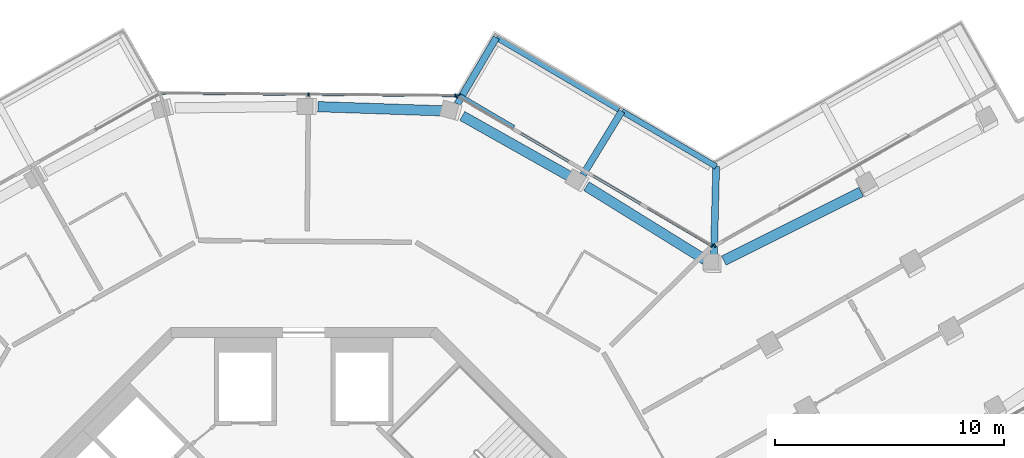
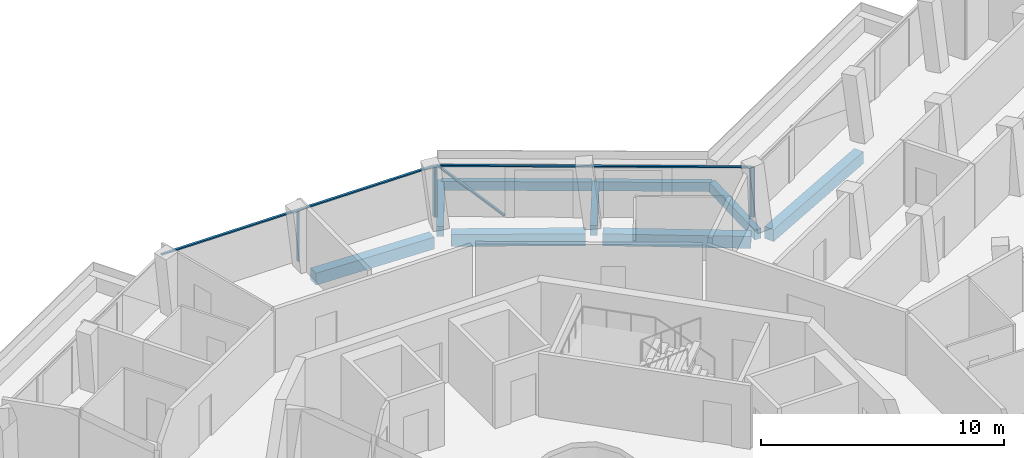
# One storey, part 9 of 24: 9 beams, 8 members, 3 elements without a shape of their own.
"""IFC4 building model written with IfcOpenShell, lengths in metres."""

from ifc_helpers import new_model, si_unit, direction, frame, origin, origin_2d, place, context, subcontext, project, spatial, rectangle, extrude, material, layer, layer_set, material_profile, profile_set, type_object, element, aggregate, save


model = new_model("IFC4")

# Units and contexts
model_context = context("Model", 3, precision=1e-05, world=origin(), true_north=direction((0.0, 1.0)))
body_context = subcontext(model_context, "Body", "Model", "MODEL_VIEW")
ifc_project = project(units=[si_unit("LENGTHUNIT", "METRE"), si_unit("AREAUNIT", "SQUARE_METRE"), si_unit("VOLUMEUNIT", "CUBIC_METRE"), si_unit("PLANEANGLEUNIT", "RADIAN"), si_unit("MASSUNIT", "GRAM", prefix="KILO")], contexts=[model_context])

# Site, building, storey
site_placement = place(None, origin())
site = spatial("IfcSite", under=ifc_project, at=site_placement, CompositionType="ELEMENT")
building_placement = place(site_placement, origin())
building = spatial("IfcBuilding", under=site, at=building_placement, Name="Verdalira Terraces Hotel", CompositionType="ELEMENT")
storey_placement = place(building_placement, frame((0.0, 0.0, 277.5)))
storey = spatial("IfcBuildingStorey", under=building, at=storey_placement, Name="L68", CompositionType="ELEMENT", Elevation=277.5)

# Beams
ifc_material_1 = material(Name="Concrete C40", Category="concrete")
ifc_material_profile_1 = material_profile(ifc_material_1, rectangle(XDim=0.300049, YDim=0.5, at=origin_2d()), Name="RC 300X500")
ifc_profile_set_1 = profile_set([ifc_material_profile_1], Name="Concrete C40")
beam_type_1 = type_object("IfcBeamType", Name="Balcony cantilever beam RC 300X500 C40", PredefinedType="BEAM", material=ifc_profile_set_1)
beam_1_placement = place(storey_placement, frame((17.932861, 17.077637, -0.560059), z_axis=(0.025094111, 0.999685093, 0.0), x_axis=(-0.999685093, 0.025094111, 0.0)))
element("IfcBeam", 1, at=beam_1_placement, inside=storey, type_object=beam_type_1, Name="Balcony cantilever beam R38-1", PredefinedType="BEAM", context=body_context, shape_type="SweptSolid", body=[
    extrude(rectangle(XDim=0.300049, YDim=0.5, at=origin_2d()), origin(), (0.0, 0.0, 1.0), 3.949951),
])
beam_2_placement = place(storey_placement, frame((12.213135, 20.669434, -0.560059), z_axis=(0.521568477, 0.853209426, 0.0), x_axis=(-0.853209426, 0.521568477, 0.0)))
element("IfcBeam", 2, at=beam_2_placement, inside=storey, type_object=beam_type_1, Name="Balcony cantilever beam R38-2", PredefinedType="BEAM", context=body_context, shape_type="SweptSolid", body=[
    extrude(rectangle(XDim=0.300049, YDim=0.5, at=origin_2d()), origin(), (0.0, 0.0, 1.0), 3.250977),
])
beam_3_placement = place(storey_placement, frame((6.716309, 23.765625, -0.560059), z_axis=(0.50722272, 0.86181501, 0.0), x_axis=(-0.86181501, 0.50722272, 0.0)))
element("IfcBeam", 3, at=beam_3_placement, inside=storey, type_object=beam_type_1, Name="Balcony cantilever beam R38-3", PredefinedType="BEAM", context=body_context, shape_type="SweptSolid", body=[
    extrude(rectangle(XDim=0.300049, YDim=0.5, at=origin_2d()), origin(), (0.0, 0.0, 1.0), 3.370361),
])
ifc_material_2 = material(Name="Concrete C40", Category="concrete")
ifc_material_profile_2 = material_profile(ifc_material_2, rectangle(XDim=0.25, YDim=0.449951, at=origin_2d()), Name="RC 250X450")
ifc_profile_set_2 = profile_set([ifc_material_profile_2], Name="Concrete C40")
beam_type_2 = type_object("IfcBeamType", Name="Balcony edge beam RC 250X450 C40", PredefinedType="BEAM", material=ifc_profile_set_2)
beam_4_placement = place(storey_placement, frame((18.031982, 21.026367, -0.534912), z_axis=(-0.862730245, 0.505664438, 0.0), x_axis=(-0.505664438, -0.862730245, 0.0)))
element("IfcBeam", 4, at=beam_4_placement, inside=storey, type_object=beam_type_2, Name="Balcony edge beam R38-1", PredefinedType="BEAM", context=body_context, shape_type="SweptSolid", body=[
    extrude(rectangle(XDim=0.25, YDim=0.449951, at=origin_2d()), origin(), (0.0, 0.0, 1.0), 4.779297),
])
beam_5_placement = place(storey_placement, frame((13.779297, 23.519043, -0.534912), z_axis=(-0.861793749, 0.507258843, 0.0), x_axis=(-0.507258843, -0.861793749, 0.0)))
element("IfcBeam", 5, at=beam_5_placement, inside=storey, type_object=beam_type_2, Name="Balcony edge beam R38-2", PredefinedType="BEAM", context=body_context, shape_type="SweptSolid", body=[
    extrude(rectangle(XDim=0.25, YDim=0.449951, at=origin_2d()), origin(), (0.0, 0.0, 1.0), 6.212158),
])

# Curtain wall, members
ifc_material_3 = material(Name="Clear glass", Category="glass")
ifc_layer_1 = layer(ifc_material_3, 0.14990234375)
ifc_layer_set_1 = layer_set([ifc_layer_1], Name="CW1 curtain wall")
curtain_wall_type_1 = type_object("IfcCurtainWallType", Name="CW1 curtain wall", PredefinedType="NOTDEFINED", material=ifc_layer_set_1)
curtain_wall_1_placement = place(storey_placement, origin())
curtain_wall_1 = element("IfcCurtainWall", 6, at=curtain_wall_1_placement, inside=storey, type_object=curtain_wall_type_1, Name="CW1 curtain wall L68 edge 39", PredefinedType="NOTDEFINED")
ifc_material_4 = material(Name="Terracotta frame", Category="masonry")
ifc_material_profile_3 = material_profile(ifc_material_4, rectangle(XDim=0.060059, YDim=0.149902, at=origin_2d()), Name="MU 60x150")
ifc_profile_set_3 = profile_set([ifc_material_profile_3], Name="Terracotta frame")
member_type_1 = type_object("IfcMemberType", Name="CW1 mullion 60x150", PredefinedType="MULLION", material=ifc_profile_set_3)
member_1_placement = place(storey_placement, frame((17.842529, 17.55957, 0.0), z_axis=(0.0, 0.0, 1.0), x_axis=(-0.861806272, 0.507237567, 0.0)))
member_1 = element("IfcMember", 7, at=member_1_placement, type_object=member_type_1, Name="CW1 mullion", PredefinedType="MULLION", context=body_context, shape_type="SweptSolid", body=[
    extrude(rectangle(XDim=0.060059, YDim=0.149902, at=origin_2d()), origin(), (0.0, 0.0, 1.0), 2.524902),
])
member_2_placement = place(storey_placement, frame((6.725342, 24.102783, 0.0), z_axis=(0.0, 0.0, 1.0), x_axis=(-0.861806272, 0.507237567, 0.0)))
member_2 = element("IfcMember", 8, at=member_2_placement, type_object=member_type_1, Name="CW1 mullion", PredefinedType="MULLION", context=body_context, shape_type="SweptSolid", body=[
    extrude(rectangle(XDim=0.060059, YDim=0.149902, at=origin_2d()), origin(), (0.0, 0.0, 1.0), 2.524902),
])

curtain_wall_2_placement = place(storey_placement, origin())
curtain_wall_2 = element("IfcCurtainWall", 9, at=curtain_wall_2_placement, inside=storey, type_object=curtain_wall_type_1, Name="CW1 curtain wall L68 edge 40", PredefinedType="NOTDEFINED")
member_3_placement = place(storey_placement, frame((6.63208, 24.128662, 0.0), z_axis=(0.0, 0.0, 1.0), x_axis=(-0.999964908, 0.008377482, 0.0)))
member_3 = element("IfcMember", 10, at=member_3_placement, type_object=member_type_1, Name="CW1 mullion", PredefinedType="MULLION", context=body_context, shape_type="SweptSolid", body=[
    extrude(rectangle(XDim=0.060059, YDim=0.149902, at=origin_2d()), origin(), (0.0, 0.0, 1.0), 2.524902),
])
member_4_placement = place(storey_placement, frame((0.202637, 24.182373, 0.0), z_axis=(0.0, 0.0, 1.0), x_axis=(-0.999964908, 0.008377482, 0.0)))
member_4 = element("IfcMember", 11, at=member_4_placement, type_object=member_type_1, Name="CW1 mullion", PredefinedType="MULLION", context=body_context, shape_type="SweptSolid", body=[
    extrude(rectangle(XDim=0.060059, YDim=0.149902, at=origin_2d()), origin(), (0.0, 0.0, 1.0), 2.524902),
])

# Member
ifc_material_5 = material(Name="Terracotta frame", Category="masonry")
ifc_material_profile_4 = material_profile(ifc_material_5, rectangle(XDim=0.110107, YDim=0.064941, at=origin_2d()), Name="TR 65x110")
ifc_profile_set_4 = profile_set([ifc_material_profile_4], Name="Terracotta frame")
member_type_2 = type_object("IfcMemberType", Name="CW1 transom 65x110", PredefinedType="USERDEFINED", material=ifc_profile_set_4)
member_5_placement = place(storey_placement, frame((17.868408, 17.544189, 2.557617), z_axis=(-0.861802462, 0.50724404, 0.0), x_axis=(-0.50724404, -0.861802462, 0.0)))
member_5 = element("IfcMember", 12, at=member_5_placement, type_object=member_type_2, Name="CW1 transom", ObjectType="TRANSOM", PredefinedType="USERDEFINED", context=body_context, shape_type="SweptSolid", body=[
    extrude(rectangle(XDim=0.110107, YDim=0.064941, at=origin_2d()), origin(), (0.0, 0.0, 1.0), 12.959717),
])

member_6_placement = place(storey_placement, frame((6.662109, 24.128418, 2.557617), z_axis=(-0.99996496, 0.008371307, 0.0), x_axis=(-0.008371307, -0.99996496, 0.0)))
member_6 = element("IfcMember", 13, at=member_6_placement, type_object=member_type_2, Name="CW1 transom", ObjectType="TRANSOM", PredefinedType="USERDEFINED", context=body_context, shape_type="SweptSolid", body=[
    extrude(rectangle(XDim=0.110107, YDim=0.064941, at=origin_2d()), origin(), (0.0, 0.0, 1.0), 12.919678),
])

aggregate(curtain_wall_2, [member_3, member_4, member_6])

# Curtain wall, member
ifc_material_6 = material(Name="Clear glass", Category="glass")
ifc_layer_2 = layer(ifc_material_6, 0.14990234375)
ifc_layer_set_2 = layer_set([ifc_layer_2], Name="CW2 curtain wall")
curtain_wall_type_2 = type_object("IfcCurtainWallType", Name="CW2 curtain wall", PredefinedType="NOTDEFINED", material=ifc_layer_set_2)
curtain_wall_3_placement = place(storey_placement, origin())
curtain_wall_3 = element("IfcCurtainWall", 14, at=curtain_wall_3_placement, inside=storey, type_object=curtain_wall_type_2, Name="CW2 curtain wall L68 edge 38", PredefinedType="NOTDEFINED")
ifc_material_7 = material(Name="Terracotta frame", Category="masonry")
ifc_material_profile_5 = material_profile(ifc_material_7, rectangle(XDim=0.070068, YDim=0.149902, at=origin_2d()), Name="MU 70x150")
ifc_profile_set_5 = profile_set([ifc_material_profile_5], Name="Terracotta frame")
member_type_3 = type_object("IfcMemberType", Name="CW2 mullion 70x150", PredefinedType="MULLION", material=ifc_profile_set_5)
member_7_placement = place(storey_placement, frame((17.973877, 17.561035, 0.0), z_axis=(0.0, 0.0, 1.0), x_axis=(-0.870183755, -0.492727342, 0.0)))
member_7 = element("IfcMember", 15, at=member_7_placement, type_object=member_type_3, Name="CW2 mullion", PredefinedType="MULLION", context=body_context, shape_type="SweptSolid", body=[
    extrude(rectangle(XDim=0.070068, YDim=0.149902, at=origin_2d()), origin(), (0.0, 0.0, 1.0), 2.524902),
])
aggregate(curtain_wall_3, [member_7])

# Member
ifc_material_8 = material(Name="Terracotta frame", Category="masonry")
ifc_material_profile_6 = material_profile(ifc_material_8, rectangle(XDim=0.149902, YDim=0.060059, at=origin_2d()), Name="GB 60x150")
ifc_profile_set_6 = profile_set([ifc_material_profile_6], Name="Terracotta frame")
member_type_4 = type_object("IfcMemberType", Name="Diagonal glazing bar 60x150", PredefinedType="USERDEFINED", material=ifc_profile_set_6)
member_8_placement = place(storey_placement, frame((9.177246, 22.762939, 0.023682), z_axis=(-0.63884139, 0.376030243, 0.671180255), x_axis=(-0.507261829, -0.861791992, 0.0)))
member_8 = element("IfcMember", 16, at=member_8_placement, type_object=member_type_4, Name="Diagonal glazing bar", ObjectType="GLAZING BAR", PredefinedType="USERDEFINED", context=body_context, shape_type="SweptSolid", body=[
    extrude(rectangle(XDim=0.149902, YDim=0.060059, at=origin_2d()), origin(), (0.0, 0.0, 1.0), 3.69165),
])

aggregate(curtain_wall_1, [member_1, member_2, member_5, member_8])

# Beams
ifc_material_9 = material(Name="Concrete C40", Category="concrete")
ifc_material_profile_7 = material_profile(ifc_material_9, rectangle(XDim=0.449951, YDim=0.600098, at=origin_2d()), Name="RC 450X600")
ifc_profile_set_7 = profile_set([ifc_material_profile_7], Name="Concrete C40")
beam_type_3 = type_object("IfcBeamType", Name="Spandrel beam RC 450X600 C40", PredefinedType="SPANDREL", material=ifc_profile_set_7)
beam_6_placement = place(storey_placement, frame((24.369141, 19.92041, -0.610107), z_axis=(-0.893990104, -0.448086704, 0.0), x_axis=(0.448086704, -0.893990104, 0.0)))
element("IfcBeam", 17, at=beam_6_placement, inside=storey, type_object=beam_type_3, Name="Spandrel beam B23", PredefinedType="SPANDREL", context=body_context, shape_type="SweptSolid", body=[
    extrude(rectangle(XDim=0.449951, YDim=0.600098, at=origin_2d()), origin(), (0.0, 0.0, 1.0), 6.709229),
])
beam_7_placement = place(storey_placement, frame((17.540771, 16.954102, -0.610107), z_axis=(-0.849839925, 0.527040892, 0.0), x_axis=(-0.527040892, -0.849839925, 0.0)))
element("IfcBeam", 18, at=beam_7_placement, inside=storey, type_object=beam_type_3, Name="Spandrel beam B24", PredefinedType="SPANDREL", context=body_context, shape_type="SweptSolid", body=[
    extrude(rectangle(XDim=0.449951, YDim=0.600098, at=origin_2d()), origin(), (0.0, 0.0, 1.0), 6.097412),
])
beam_8_placement = place(storey_placement, frame((11.743896, 20.531006, -0.610107), z_axis=(-0.87141962, 0.490538323, 0.0), x_axis=(-0.490538323, -0.87141962, 0.0)))
element("IfcBeam", 19, at=beam_8_placement, inside=storey, type_object=beam_type_3, Name="Spandrel beam B25", PredefinedType="SPANDREL", context=body_context, shape_type="SweptSolid", body=[
    extrude(rectangle(XDim=0.449951, YDim=0.600098, at=origin_2d()), origin(), (0.0, 0.0, 1.0), 5.521484),
])
beam_9_placement = place(storey_placement, frame((6.140381, 23.459473, -0.610107), z_axis=(-0.99943856, 0.033504685, 0.0), x_axis=(-0.033504685, -0.99943856, 0.0)))
element("IfcBeam", 20, at=beam_9_placement, inside=storey, type_object=beam_type_3, Name="Spandrel beam B26", PredefinedType="SPANDREL", context=body_context, shape_type="SweptSolid", body=[
    extrude(rectangle(XDim=0.449951, YDim=0.600098, at=origin_2d()), origin(), (0.0, 0.0, 1.0), 5.523438),
])

save(model, "model.ifc")
